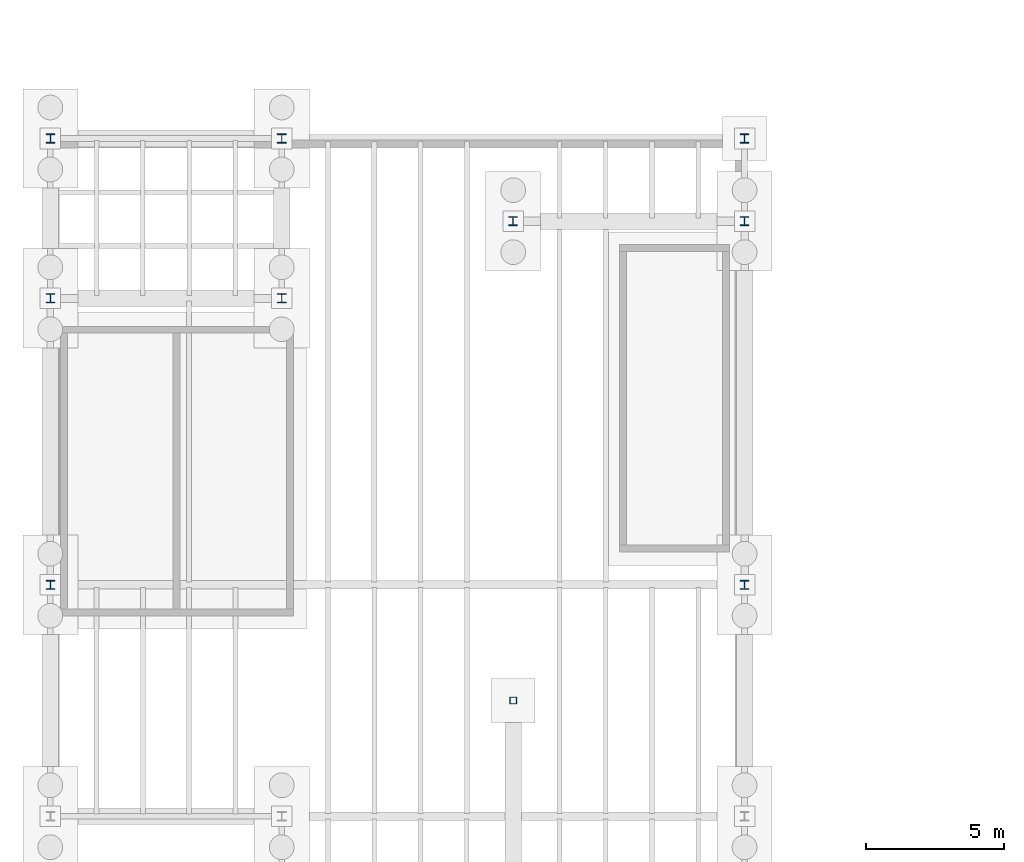
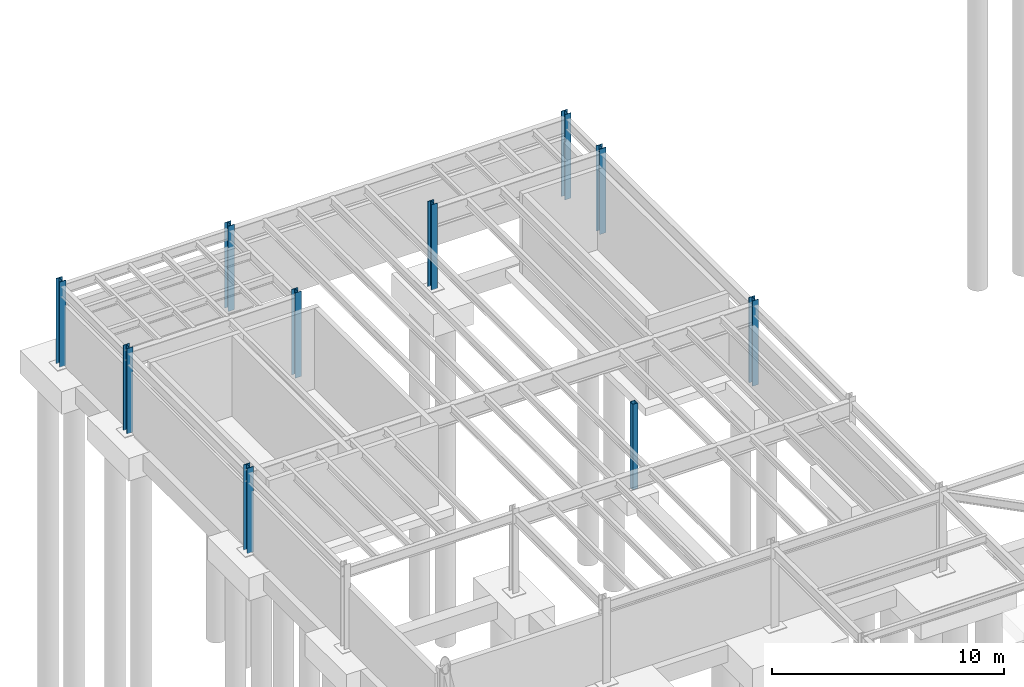
# One storey, part 16 of 41: 10 columns.
"""IFC4 building model written with IfcOpenShell, lengths in metres."""

from ifc_helpers import new_model, si_unit, direction, frame, origin, origin_2d, place, context, subcontext, project, spatial, hollow_rectangle, i_section, extrude, material, material_profile, profile_set, type_object, element, save


model = new_model("IFC4")

# Units and contexts
model_context = context("Model", 3, precision=1e-05, world=origin(), true_north=direction((0.0, 1.0)))
body_context = subcontext(model_context, "Body", "Model", "MODEL_VIEW")
ifc_project = project(units=[si_unit("LENGTHUNIT", "METRE"), si_unit("AREAUNIT", "SQUARE_METRE"), si_unit("VOLUMEUNIT", "CUBIC_METRE"), si_unit("PLANEANGLEUNIT", "RADIAN"), si_unit("MASSUNIT", "GRAM", prefix="KILO")], contexts=[model_context])

# Site, building, storey
site_placement = place(None, origin())
site = spatial("IfcSite", under=ifc_project, at=site_placement, CompositionType="ELEMENT")
building_placement = place(site_placement, origin())
building = spatial("IfcBuilding", under=site, at=building_placement, Name="Selat Folded Stagehouse", CompositionType="ELEMENT")
storey_placement = place(building_placement, frame((0.0, 0.0, -4.5)))
storey = spatial("IfcBuildingStorey", under=building, at=storey_placement, Name="B1", CompositionType="ELEMENT", Elevation=-4.5)

# Columns
ifc_material = material(Name="Steel S355", Category="steel")
ifc_material_profile_1 = material_profile(ifc_material, i_section(OverallWidth=0.311279296875, OverallDepth=0.3271484375, WebThickness=0.015869140625, FlangeThickness=0.02490234375, FilletRadius=0.01513671875, at=origin_2d()), Name="UKC 305x305x158")
ifc_profile_set_1 = profile_set([ifc_material_profile_1], Name="Steel S355")
column_type_1 = type_object("IfcColumnType", Name="COL-UKC-305x305x158", PredefinedType="COLUMN", material=ifc_profile_set_1)
for number, where, z_axis, x_axis, name in (
    (1, (0.0, 70.800048828125, 0.0), (0.0, 0.0, 1.0), (1.0, 0.0, 0.0), "B1 column STK-V4-02"),
    (2, (0.0, 81.199951171875, 0.0), (0.0, 0.0, 1.0), (1.0, 0.0, 0.0), "B1 column STK-V4-03"),
    (3, (0.0, 87.0, 0.0), (0.0, 0.0, 1.0), (1.0, 0.0, 0.0), "B1 column STK-V4-04"),
    (4, (8.39990234375, 81.199951171875, 0.0), (0.0, 0.0, 1.0), (1.0, 0.0, 0.0), "B1 column STK-V4-06"),
    (5, (8.39990234375, 87.0, 0.0), (0.0, 0.0, 1.0), (1.0, 0.0, 0.0), "B1 column STK-V4-07"),
    (6, (16.800048828125, 84.0, 0.0), (0.0, 0.0, 1.0), (1.0, 0.0, 0.0), "B1 column STK-V4-08"),
    (7, (25.199951171875, 70.800048828125, 0.0), (0.0, 0.0, 1.0), (1.0, 0.0, 0.0), "B1 column STK-V4-11"),
    (8, (25.199951171875, 84.0, 0.0), (0.0, 0.0, 1.0), (1.0, 0.0, 0.0), "B1 column STK-V4-12"),
    (9, (25.199951171875, 87.0, 0.0), (0.0, 0.0, 1.0), (1.0, 0.0, 0.0), "B1 column STK-V4-13"),
):
    element("IfcColumn", number, at=place(storey_placement, frame(where, z_axis=z_axis, x_axis=x_axis)), inside=storey, type_object=column_type_1, Name=name, PredefinedType="COLUMN", context=body_context, shape_type="SweptSolid", body=[
        extrude(i_section(OverallWidth=0.311279296875, OverallDepth=0.3271484375, WebThickness=0.015869140625, FlangeThickness=0.02490234375, FilletRadius=0.01513671875, at=origin_2d()), origin(), (0.0, 0.0, 1.0), 4.5),
    ])
ifc_material_profile_2 = material_profile(ifc_material, hollow_rectangle(XDim=0.25, YDim=0.25, WallThickness=0.012451171875, at=origin_2d()), Name="SHS 250x250x12.5")
ifc_profile_set_2 = profile_set([ifc_material_profile_2], Name="Steel S355")
column_type_2 = type_object("IfcColumnType", Name="PIL-SHS-250x250", PredefinedType="PILASTER", material=ifc_profile_set_2)
column_placement = place(storey_placement, frame((16.800048828125, 66.60009765625, 0.0), z_axis=(0.0, 0.0, 1.0), x_axis=(1.0, 0.0, 0.0)))
element("IfcColumn", 10, at=column_placement, inside=storey, type_object=column_type_2, Name="B1 pilaster 5", PredefinedType="PILASTER", context=body_context, shape_type="SweptSolid", body=[
    extrude(hollow_rectangle(XDim=0.25, YDim=0.25, WallThickness=0.012451171875, at=origin_2d()), origin(), (0.0, 0.0, 1.0), 4.5),
])

save(model, "model.ifc")
